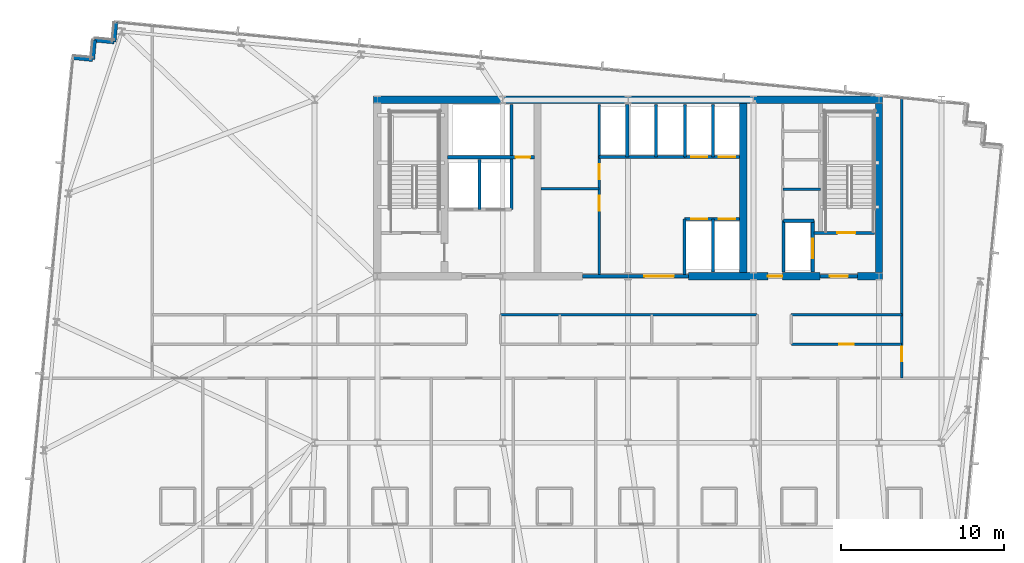
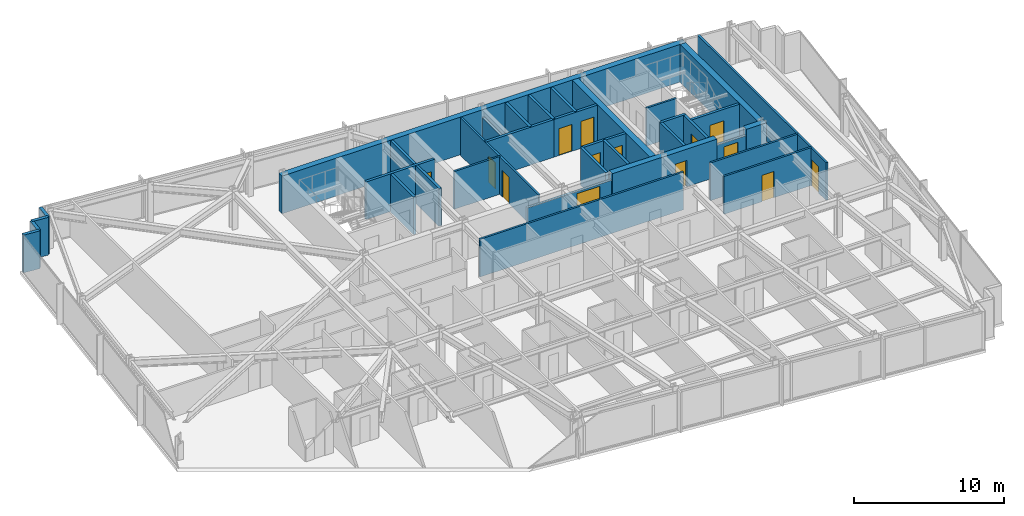
# One storey, part 31 of 37: 34 walls, 14 doors, 14 openings.
"""IFC4 building model written with IfcOpenShell, lengths in metres."""

from ifc_helpers import new_model, si_unit, direction, frame, frame_2d, origin, place, context, subcontext, project, spatial, rectangle, extrude, material, layer, layer_set, type_object, element, fill, save


model = new_model("IFC4")

# Units and contexts
model_context = context("Model", 3, precision=1e-05, world=origin(), true_north=direction((0.0, 1.0)))
body_context = subcontext(model_context, "Body", "Model", "MODEL_VIEW")
ifc_project = project(units=[si_unit("LENGTHUNIT", "METRE"), si_unit("AREAUNIT", "SQUARE_METRE"), si_unit("VOLUMEUNIT", "CUBIC_METRE"), si_unit("PLANEANGLEUNIT", "RADIAN"), si_unit("MASSUNIT", "GRAM", prefix="KILO")], contexts=[model_context])

# Site, building, storey
site_placement = place(None, origin())
site = spatial("IfcSite", under=ifc_project, at=site_placement, CompositionType="ELEMENT")
building_placement = place(site_placement, origin())
building = spatial("IfcBuilding", under=site, at=building_placement, Name="Yelkora Congress Tower", CompositionType="ELEMENT")
storey_placement = place(building_placement, frame((0.0, 0.0, 182.0)))
storey = spatial("IfcBuildingStorey", under=building, at=storey_placement, Name="L50", CompositionType="ELEMENT", Elevation=182.0)

# Wall
ifc_material_1 = material(Name="Concrete C60/75", Category="concrete")
ifc_layer_1 = layer(ifc_material_1, 0.449951171875)
ifc_layer_set_1 = layer_set([ifc_layer_1], Name="Concrete C60/75")
wall_type_1 = type_object("IfcWallType", Name="WALL-CORE-INT-450", PredefinedType="SHEAR", material=ifc_layer_set_1)
wall_1_placement = place(storey_placement, frame((22.81494140625, 46.199951171875, 0.0), z_axis=(0.0, 0.0, 1.0), x_axis=(1.0, 0.0, 0.0)))
element("IfcWall", 1, at=wall_1_placement, inside=storey, type_object=wall_type_1, Name="L50 Rear Core North Shear Wall", PredefinedType="SHEAR", context=body_context, shape_type="SweptSolid", body=[
    extrude(rectangle(XDim=31.170166015625, YDim=0.449951171875, at=frame_2d((15.5849609375, 0.0))), origin(), (0.0, 0.0, 1.0), 3.080078125),
])

# Wall, opening, door
wall_2_placement = place(storey_placement, frame((42.10009765625, 35.39990234375, 0.0), z_axis=(0.0, 0.0, 1.0), x_axis=(1.0, 0.0, 0.0)))
wall_2 = element("IfcWall", 2, at=wall_2_placement, inside=storey, type_object=wall_type_1, Name="L50 Rear Core South-East Shear Wall A", PredefinedType="SHEAR", context=body_context, shape_type="SweptSolid", body=[
    extrude(rectangle(XDim=8.0498046875, YDim=0.449951171875, at=frame_2d((4.02490234375, 0.0))), origin(), (0.0, 0.0, 1.0), 3.080078125),
])
opening_1_placement = place(wall_2_placement, frame((4.85009765625, 0.0, 0.0)))
opening_1 = element("IfcOpeningElement", 3, at=opening_1_placement, cuts=wall_2, Name="Opening DR-090F6", PredefinedType="OPENING", context=body_context, shape_type="SweptSolid", body=[
    extrude(rectangle(XDim=0.89990234375, YDim=2.14990234375, at=frame_2d((0.449951171875, 1.074951171875))), frame((0.0, 0.23486328125, 0.0), z_axis=(0.0, -1.0, 0.0), x_axis=(1.0, 0.0, 0.0)), (0.0, 0.0, 1.0), 0.469970703125),
])
ifc_material_2 = material(Name="Painted steel riser fire door leaf", Category="steel")
door_type_1 = type_object("IfcDoorType", Name="DOOR-FD60-900", OperationType="NOTDEFINED", PredefinedType="DOOR", material=ifc_material_2)
door_1_placement = place(opening_1_placement, origin())
door_1 = element("IfcDoor", 4, at=door_1_placement, inside=storey, type_object=door_type_1, Name="L50 Core Washroom Lobby Door", OperationType="SINGLE_SWING_RIGHT", OverallHeight=2.14990234375, OverallWidth=0.89990234375, PredefinedType="DOOR", context=body_context, shape_type="SweptSolid", body=[
    extrude(rectangle(XDim=0.89990234375, YDim=2.14990234375, at=frame_2d((0.449951171875, 1.074951171875))), frame((0.0, 0.02490234375, 0.0), z_axis=(0.0, -1.0, 0.0), x_axis=(1.0, 0.0, 0.0)), (0.0, 0.0, 1.0), 0.050048828125),
])
fill(opening_1, door_1)

# Walls
wall_3_placement = place(storey_placement, frame((52.449951171875, 35.39990234375, 0.0), z_axis=(0.0, 0.0, 1.0), x_axis=(1.0, 0.0, 0.0)))
element("IfcWall", 5, at=wall_3_placement, inside=storey, type_object=wall_type_1, Name="L50 Rear Core South-East Shear Wall B", PredefinedType="SHEAR", context=body_context, shape_type="SweptSolid", body=[
    extrude(rectangle(XDim=1.53515625, YDim=0.449951171875, at=frame_2d((0.767578125, 0.0))), origin(), (0.0, 0.0, 1.0), 3.080078125),
])
for number, where, z_axis, x_axis, name in (
    (6, (45.449951171875, 35.625, 0.0), (0.0, 0.0, 1.0), (0.0, 1.0, 0.0), "L50 Rear Core Cross Shear Wall C3"),
    (7, (53.760009765625, 35.625, 0.0), (0.0, 0.0, 1.0), (0.0, 1.0, 0.0), "L50 Rear Core Cross Shear Wall E"),
):
    element("IfcWall", number, at=place(storey_placement, frame(where, z_axis=z_axis, x_axis=x_axis)), inside=storey, type_object=wall_type_1, Name=name, PredefinedType="SHEAR", context=body_context, shape_type="SweptSolid", body=[
        extrude(rectangle(XDim=10.35009765625, YDim=0.449951171875, at=frame_2d((5.175048828125, 0.0))), origin(), (0.0, 0.0, 1.0), 3.080078125),
    ])
ifc_material_3 = material(Name="Concrete C40/50", Category="concrete")
ifc_layer_2 = layer(ifc_material_3, 0.239990234375)
ifc_layer_set_2 = layer_set([ifc_layer_2], Name="Concrete C40/50")
wall_type_2 = type_object("IfcWallType", Name="WALL-EXT-LIMESTONE-240", PredefinedType="SOLIDWALL", material=ifc_layer_set_2)
wall_4_placement = place(storey_placement, frame((4.41064453125, 48.778564453125, 0.0), z_axis=(0.0, 0.0, 1.0), x_axis=(0.995397091755, -0.095836473879, 0.0)))
element("IfcWall", 8, at=wall_4_placement, inside=storey, type_object=wall_type_2, Name="L50 Serrated Corner Limestone Pier 6", PredefinedType="SOLIDWALL", context=body_context, shape_type="SweptSolid", body=[
    extrude(rectangle(XDim=1.199951171875, YDim=0.239990234375, at=frame_2d((0.60009765625, 0.0))), origin(), (0.0, 0.0, 1.0), 3.080078125),
])
wall_5_placement = place(storey_placement, frame((5.60498046875, 48.66357421875, 0.0), z_axis=(0.0, 0.0, 1.0), x_axis=(0.096018626938, 0.995379537303, 0.0)))
element("IfcWall", 9, at=wall_5_placement, inside=storey, type_object=wall_type_2, Name="L50 Serrated Corner Limestone Pier 7", PredefinedType="SOLIDWALL", context=body_context, shape_type="SweptSolid", body=[
    extrude(rectangle(XDim=1.2001953125, YDim=0.239990234375, at=frame_2d((0.60009765625, 0.0))), origin(), (0.0, 0.0, 1.0), 3.080078125),
])
for number, where, z_axis, x_axis, name in (
    (10, (5.72021484375, 49.858154296875, 0.0), (0.0, 0.0, 1.0), (0.995397091755, -0.095836473879, 0.0), "L50 Serrated Corner Limestone Pier 8"),
    (11, (6.91455078125, 49.7431640625, 0.0), (0.0, 0.0, 1.0), (0.095836473879, 0.995397091755, 0.0), "L50 Serrated Corner Limestone Pier 9"),
):
    element("IfcWall", number, at=place(storey_placement, frame(where, z_axis=z_axis, x_axis=x_axis)), inside=storey, type_object=wall_type_2, Name=name, PredefinedType="SOLIDWALL", context=body_context, shape_type="SweptSolid", body=[
        extrude(rectangle(XDim=1.199951171875, YDim=0.239990234375, at=frame_2d((0.60009765625, 0.0))), origin(), (0.0, 0.0, 1.0), 3.080078125),
    ])
ifc_material_4 = material(Name="Acoustic metal-stud gypsum partition", Category="gypsum")
ifc_layer_3 = layer(ifc_material_4, 0.14990234375)
ifc_layer_set_3 = layer_set([ifc_layer_3], Name="Acoustic metal-stud gypsum partition")
wall_type_3 = type_object("IfcWallType", Name="WALL-INT-150-NR", PredefinedType="PARTITIONING", material=ifc_layer_set_3)
wall_6_placement = place(storey_placement, frame((47.8798828125, 40.719970703125, 0.0), z_axis=(0.0, 0.0, 1.0), x_axis=(1.0, 0.0, 0.0)))
element("IfcWall", 12, at=wall_6_placement, inside=storey, type_object=wall_type_3, Name="L50 Partition Wall 24", PredefinedType="PARTITIONING", context=body_context, shape_type="SweptSolid", body=[
    extrude(rectangle(XDim=2.300048828125, YDim=0.14990234375, at=frame_2d((1.14990234375, 0.0))), origin(), (0.0, 0.0, 1.0), 3.080078125),
])

# Wall, opening, door
wall_7_placement = place(storey_placement, frame((55.1650390625, 29.14990234375, 0.0), z_axis=(0.0, 0.0, 1.0), x_axis=(0.0, 1.0, 0.0)))
wall_7 = element("IfcWall", 13, at=wall_7_placement, inside=storey, type_object=wall_type_3, Name="L50 Partition Wall 79", PredefinedType="PARTITIONING", context=body_context, shape_type="SweptSolid", body=[
    extrude(rectangle(XDim=17.213134765625, YDim=0.14990234375, at=frame_2d((8.6064453125, 0.0))), origin(), (0.0, 0.0, 1.0), 3.080078125),
])
opening_2_placement = place(wall_7_placement, frame((1.030029296875, 0.0, 0.0)))
opening_2 = element("IfcOpeningElement", 14, at=opening_2_placement, cuts=wall_7, Name="Opening DR-090N", PredefinedType="OPENING", context=body_context, shape_type="SweptSolid", body=[
    extrude(rectangle(XDim=0.89990234375, YDim=2.14990234375, at=frame_2d((0.449951171875, 1.074951171875))), frame((0.0, 0.0849609375, 0.0), z_axis=(0.0, -1.0, 0.0), x_axis=(1.0, 0.0, 0.0)), (0.0, 0.0, 1.0), 0.169921875),
])
ifc_material_5 = material(Name="Moisture-resistant laminate door leaf", Category="wood")
door_type_2 = type_object("IfcDoorType", Name="DOOR-INT-900", OperationType="NOTDEFINED", PredefinedType="DOOR", material=ifc_material_5)
door_2_placement = place(opening_2_placement, origin())
door_2 = element("IfcDoor", 15, at=door_2_placement, inside=storey, type_object=door_type_2, Name="L50 E Wing Door", OperationType="SINGLE_SWING_LEFT", OverallHeight=2.14990234375, OverallWidth=0.89990234375, PredefinedType="DOOR", context=body_context, shape_type="SweptSolid", body=[
    extrude(rectangle(XDim=0.89990234375, YDim=2.14990234375, at=frame_2d((0.449951171875, 1.074951171875))), frame((0.0, 0.02490234375, 0.0), z_axis=(0.0, -1.0, 0.0), x_axis=(1.0, 0.0, 0.0)), (0.0, 0.0, 1.0), 0.050048828125),
])
fill(opening_2, door_2)

# Walls
wall_8_placement = place(storey_placement, frame((30.580078125, 33.050048828125, 0.0), z_axis=(0.0, 0.0, 1.0), x_axis=(1.0, 0.0, 0.0)))
element("IfcWall", 16, at=wall_8_placement, inside=storey, type_object=wall_type_3, Name="L50 Partition Wall 85", PredefinedType="PARTITIONING", context=body_context, shape_type="SweptSolid", body=[
    extrude(rectangle(XDim=15.719970703125, YDim=0.14990234375, at=frame_2d((7.85986328125, 0.0))), origin(), (0.0, 0.0, 1.0), 3.080078125),
])
wall_9_placement = place(storey_placement, frame((48.3798828125, 33.050048828125, 0.0), z_axis=(0.0, 0.0, 1.0), x_axis=(1.0, 0.0, 0.0)))
element("IfcWall", 17, at=wall_9_placement, inside=storey, type_object=wall_type_3, Name="L50 Partition Wall 86", PredefinedType="PARTITIONING", context=body_context, shape_type="SweptSolid", body=[
    extrude(rectangle(XDim=6.78515625, YDim=0.14990234375, at=frame_2d((3.392578125, 0.0))), origin(), (0.0, 0.0, 1.0), 3.080078125),
])

# Wall, opening, door
wall_10_placement = place(storey_placement, frame((48.389892578125, 31.22998046875, 0.0), z_axis=(0.0, 0.0, 1.0), x_axis=(1.0, 0.0, 0.0)))
wall_10 = element("IfcWall", 18, at=wall_10_placement, inside=storey, type_object=wall_type_3, Name="L50 Partition Wall 93", PredefinedType="PARTITIONING", context=body_context, shape_type="SweptSolid", body=[
    extrude(rectangle(XDim=6.755126953125, YDim=0.14990234375, at=frame_2d((3.37744140625, 0.0))), origin(), (0.0, 0.0, 1.0), 3.080078125),
])
opening_3_placement = place(wall_10_placement, frame((2.927490234375, 0.0, 0.0)))
opening_3 = element("IfcOpeningElement", 19, at=opening_3_placement, cuts=wall_10, Name="Opening DR-090N", PredefinedType="OPENING", context=body_context, shape_type="SweptSolid", body=[
    extrude(rectangle(XDim=0.89990234375, YDim=2.14990234375, at=frame_2d((0.449951171875, 1.074951171875))), frame((0.0, 0.0849609375, 0.0), z_axis=(0.0, -1.0, 0.0), x_axis=(1.0, 0.0, 0.0)), (0.0, 0.0, 1.0), 0.169921875),
])
door_3_placement = place(opening_3_placement, origin())
door_3 = element("IfcDoor", 20, at=door_3_placement, inside=storey, type_object=door_type_2, Name="L50 Staff Operations Room Door", OperationType="SINGLE_SWING_RIGHT", OverallHeight=2.14990234375, OverallWidth=0.89990234375, PredefinedType="DOOR", context=body_context, shape_type="SweptSolid", body=[
    extrude(rectangle(XDim=0.89990234375, YDim=2.14990234375, at=frame_2d((0.449951171875, 1.074951171875))), frame((0.0, 0.02490234375, 0.0), z_axis=(0.0, -1.0, 0.0), x_axis=(1.0, 0.0, 0.0)), (0.0, 0.0, 1.0), 0.050048828125),
])
fill(opening_3, door_3)

# Wall
ifc_material_6 = material(Name="Twin-stud fire-rated gypsum partition", Category="gypsum")
ifc_layer_4 = layer(ifc_material_6, 0.14990234375)
ifc_layer_set_4 = layer_set([ifc_layer_4], Name="Twin-stud fire-rated gypsum partition")
wall_type_4 = type_object("IfcWallType", Name="WALL-INT-150-R60", PredefinedType="PARTITIONING", material=ifc_layer_set_4)
wall_11_placement = place(storey_placement, frame((33.050048828125, 40.75, 0.0), z_axis=(0.0, 0.0, 1.0), x_axis=(1.0, 0.0, 0.0)))
element("IfcWall", 21, at=wall_11_placement, inside=storey, type_object=wall_type_4, Name="L50 Partition Wall 11", PredefinedType="PARTITIONING", context=body_context, shape_type="SweptSolid", body=[
    extrude(rectangle(XDim=3.570068359375, YDim=0.14990234375, at=frame_2d((1.78515625, 0.0))), origin(), (0.0, 0.0, 1.0), 3.080078125),
])

# Wall, openings, doors
wall_12_placement = place(storey_placement, frame((36.6201171875, 35.5, 0.0), z_axis=(0.0, 0.0, 1.0), x_axis=(0.0, 1.0, 0.0)))
wall_12 = element("IfcWall", 22, at=wall_12_placement, inside=storey, type_object=wall_type_4, Name="L50 Partition Wall 12", PredefinedType="PARTITIONING", context=body_context, shape_type="SweptSolid", body=[
    extrude(rectangle(XDim=10.419921875, YDim=0.14990234375, at=frame_2d((5.2099609375, 0.0))), origin(), (0.0, 0.0, 1.0), 3.080078125),
])
opening_4_placement = place(wall_12_placement, frame((3.919921875, 0.0, 0.0)))
opening_4 = element("IfcOpeningElement", 23, at=opening_4_placement, cuts=wall_12, Name="Opening DR-090F6", PredefinedType="OPENING", context=body_context, shape_type="SweptSolid", body=[
    extrude(rectangle(XDim=0.89990234375, YDim=2.14990234375, at=frame_2d((0.449951171875, 1.074951171875))), frame((0.0, 0.0849609375, 0.0), z_axis=(0.0, -1.0, 0.0), x_axis=(1.0, 0.0, 0.0)), (0.0, 0.0, 1.0), 0.169921875),
])
opening_5_placement = place(wall_12_placement, frame((5.85009765625, 0.0, 0.0)))
opening_5 = element("IfcOpeningElement", 24, at=opening_5_placement, cuts=wall_12, Name="Opening DR-090F6", PredefinedType="OPENING", context=body_context, shape_type="SweptSolid", body=[
    extrude(rectangle(XDim=0.89990234375, YDim=2.14990234375, at=frame_2d((0.449951171875, 1.074951171875))), frame((0.0, 0.0849609375, 0.0), z_axis=(0.0, -1.0, 0.0), x_axis=(1.0, 0.0, 0.0)), (0.0, 0.0, 1.0), 0.169921875),
])
door_4_placement = place(opening_4_placement, origin())
door_4 = element("IfcDoor", 25, at=door_4_placement, inside=storey, type_object=door_type_1, Name="L50 Telecom Store Door", OperationType="SINGLE_SWING_LEFT", OverallHeight=2.14990234375, OverallWidth=0.89990234375, PredefinedType="DOOR", context=body_context, shape_type="SweptSolid", body=[
    extrude(rectangle(XDim=0.89990234375, YDim=2.14990234375, at=frame_2d((0.449951171875, 1.074951171875))), frame((0.0, 0.02490234375, 0.0), z_axis=(0.0, -1.0, 0.0), x_axis=(1.0, 0.0, 0.0)), (0.0, 0.0, 1.0), 0.050048828125),
])
fill(opening_4, door_4)
door_5_placement = place(opening_5_placement, origin())
door_5 = element("IfcDoor", 26, at=door_5_placement, inside=storey, type_object=door_type_1, Name="L50 Archive Store Door", OperationType="SINGLE_SWING_RIGHT", OverallHeight=2.14990234375, OverallWidth=0.89990234375, PredefinedType="DOOR", context=body_context, shape_type="SweptSolid", body=[
    extrude(rectangle(XDim=0.89990234375, YDim=2.14990234375, at=frame_2d((0.449951171875, 1.074951171875))), frame((0.0, 0.02490234375, 0.0), z_axis=(0.0, -1.0, 0.0), x_axis=(1.0, 0.0, 0.0)), (0.0, 0.0, 1.0), 0.050048828125),
])
fill(opening_5, door_5)

# Walls
ifc_material_7 = material(Name="Autoclaved aerated concrete blockwork", Category="masonry")
ifc_layer_5 = layer(ifc_material_7, 0.199951171875)
ifc_layer_set_5 = layer_set([ifc_layer_5], Name="Autoclaved aerated concrete blockwork")
wall_type_5 = type_object("IfcWallType", Name="WALL-INT-200-R120", PredefinedType="PARTITIONING", material=ifc_layer_set_5)
wall_13_placement = place(storey_placement, frame((29.300048828125, 39.47998046875, 0.0), z_axis=(0.0, 0.0, 1.0), x_axis=(0.0, 1.0, 0.0)))
element("IfcWall", 27, at=wall_13_placement, inside=storey, type_object=wall_type_5, Name="L50 Partition Wall 4", PredefinedType="PARTITIONING", context=body_context, shape_type="SweptSolid", body=[
    extrude(rectangle(XDim=3.070068359375, YDim=0.199951171875, at=frame_2d((1.53515625, 0.0))), origin(), (0.0, 0.0, 1.0), 3.080078125),
])
wall_14_placement = place(storey_placement, frame((31.260009765625, 39.47998046875, 0.0), z_axis=(0.0, 0.0, 1.0), x_axis=(0.0, 1.0, 0.0)))
element("IfcWall", 28, at=wall_14_placement, inside=storey, type_object=wall_type_5, Name="L50 Partition Wall 5", PredefinedType="PARTITIONING", context=body_context, shape_type="SweptSolid", body=[
    extrude(rectangle(XDim=6.43994140625, YDim=0.199951171875, at=frame_2d((3.219970703125, 0.0))), origin(), (0.0, 0.0, 1.0), 3.080078125),
])

# Wall, opening, door
wall_15_placement = place(storey_placement, frame((27.320068359375, 42.679931640625, 0.0), z_axis=(0.0, 0.0, 1.0), x_axis=(1.0, 0.0, 0.0)))
wall_15 = element("IfcWall", 29, at=wall_15_placement, inside=storey, type_object=wall_type_5, Name="L50 Smoke Riser South Wall", PredefinedType="PARTITIONING", context=body_context, shape_type="SweptSolid", body=[
    extrude(rectangle(XDim=5.329833984375, YDim=0.199951171875, at=frame_2d((2.6650390625, 0.0))), origin(), (0.0, 0.0, 1.0), 3.080078125),
])
opening_6_placement = place(wall_15_placement, frame((4.179931640625, 0.0, 0.0)))
opening_6 = element("IfcOpeningElement", 30, at=opening_6_placement, cuts=wall_15, Name="Opening DR-090F6", PredefinedType="OPENING", context=body_context, shape_type="SweptSolid", body=[
    extrude(rectangle(XDim=0.89990234375, YDim=2.14990234375, at=frame_2d((0.449951171875, 1.074951171875))), frame((0.0, 0.10986328125, 0.0), z_axis=(0.0, -1.0, 0.0), x_axis=(1.0, 0.0, 0.0)), (0.0, 0.0, 1.0), 0.219970703125),
])
door_6_placement = place(opening_6_placement, origin())
door_6 = element("IfcDoor", 31, at=door_6_placement, inside=storey, type_object=door_type_1, Name="L50 Riser Access Door", OperationType="SINGLE_SWING_LEFT", OverallHeight=2.14990234375, OverallWidth=0.89990234375, PredefinedType="DOOR", context=body_context, shape_type="SweptSolid", body=[
    extrude(rectangle(XDim=0.89990234375, YDim=2.14990234375, at=frame_2d((0.449951171875, 1.074951171875))), frame((0.0, 0.02490234375, 0.0), z_axis=(0.0, -1.0, 0.0), x_axis=(1.0, 0.0, 0.0)), (0.0, 0.0, 1.0), 0.050048828125),
])
fill(opening_6, door_6)

wall_16_placement = place(storey_placement, frame((35.60009765625, 35.39990234375, 0.0), z_axis=(0.0, 0.0, 1.0), x_axis=(1.0, 0.0, 0.0)))
wall_16 = element("IfcWall", 32, at=wall_16_placement, inside=storey, type_object=wall_type_5, Name="L50 Main Lift Lobby South Portal Wall", PredefinedType="PARTITIONING", context=body_context, shape_type="SweptSolid", body=[
    extrude(rectangle(XDim=6.5, YDim=0.199951171875, at=frame_2d((3.25, 0.0))), origin(), (0.0, 0.0, 1.0), 2.47509765625),
])
opening_7_placement = place(wall_16_placement, frame((3.800048828125, 0.0, 0.0)))
opening_7 = element("IfcOpeningElement", 33, at=opening_7_placement, cuts=wall_16, Name="Opening DR-180D", PredefinedType="OPENING", context=body_context, shape_type="SweptSolid", body=[
    extrude(rectangle(XDim=1.800048828125, YDim=2.300048828125, at=frame_2d((0.89990234375, 1.14990234375))), frame((0.0, 0.10986328125, 0.0), z_axis=(0.0, -1.0, 0.0), x_axis=(1.0, 0.0, 0.0)), (0.0, 0.0, 1.0), 0.219970703125),
])
ifc_material_8 = material(Name="Acoustic double congress hall doors", Category="wood")
door_type_3 = type_object("IfcDoorType", Name="DOOR-DBL-1800", OperationType="DOUBLE_DOOR_SINGLE_SWING", PredefinedType="DOOR", material=ifc_material_8)
door_7_placement = place(opening_7_placement, origin())
door_7 = element("IfcDoor", 34, at=door_7_placement, inside=storey, type_object=door_type_3, Name="L50 Main Lift Lobby Portal Door", OperationType="DOUBLE_DOOR_SINGLE_SWING", OverallHeight=2.300048828125, OverallWidth=1.800048828125, PredefinedType="DOOR", context=body_context, shape_type="SweptSolid", body=[
    extrude(rectangle(XDim=1.800048828125, YDim=2.300048828125, at=frame_2d((0.89990234375, 1.14990234375))), frame((0.0, 0.02490234375, 0.0), z_axis=(0.0, -1.0, 0.0), x_axis=(1.0, 0.0, 0.0)), (0.0, 0.0, 1.0), 0.050048828125),
])
fill(opening_7, door_7)

# Walls
wall_17_placement = place(storey_placement, frame((36.60009765625, 42.699951171875, 0.0), z_axis=(0.0, 0.0, 1.0), x_axis=(1.0, 0.0, 0.0)))
element("IfcWall", 35, at=wall_17_placement, inside=storey, type_object=wall_type_5, Name="L50 Partition Wall 8", PredefinedType="PARTITIONING", context=body_context, shape_type="SweptSolid", body=[
    extrude(rectangle(XDim=5.25, YDim=0.199951171875, at=frame_2d((2.625, 0.0))), origin(), (0.0, 0.0, 1.0), 3.080078125),
])
wall_18_placement = place(storey_placement, frame((38.35009765625, 42.699951171875, 0.0), z_axis=(0.0, 0.0, 1.0), x_axis=(0.0, 1.0, 0.0)))
element("IfcWall", 36, at=wall_18_placement, inside=storey, type_object=wall_type_5, Name="L50 Partition Wall 9", PredefinedType="PARTITIONING", context=body_context, shape_type="SweptSolid", body=[
    extrude(rectangle(XDim=3.219970703125, YDim=0.199951171875, at=frame_2d((1.60986328125, 0.0))), origin(), (0.0, 0.0, 1.0), 2.47509765625),
])
wall_19_placement = place(storey_placement, frame((40.10009765625, 42.699951171875, 0.0), z_axis=(0.0, 0.0, 1.0), x_axis=(0.0, 1.0, 0.0)))
element("IfcWall", 37, at=wall_19_placement, inside=storey, type_object=wall_type_5, Name="L50 Partition Wall 10", PredefinedType="PARTITIONING", context=body_context, shape_type="SweptSolid", body=[
    extrude(rectangle(XDim=3.219970703125, YDim=0.199951171875, at=frame_2d((1.60986328125, 0.0))), origin(), (0.0, 0.0, 1.0), 3.080078125),
])

# Wall, openings, doors
wall_20_placement = place(storey_placement, frame((41.85009765625, 38.89990234375, 0.0), z_axis=(0.0, 0.0, 1.0), x_axis=(1.0, 0.0, 0.0)))
wall_20 = element("IfcWall", 38, at=wall_20_placement, inside=storey, type_object=wall_type_5, Name="L50 Partition Wall 13", PredefinedType="PARTITIONING", context=body_context, shape_type="SweptSolid", body=[
    extrude(rectangle(XDim=3.369873046875, YDim=0.199951171875, at=frame_2d((1.68505859375, 0.0))), origin(), (0.0, 0.0, 1.0), 3.080078125),
])
opening_8_placement = place(wall_20_placement, frame((0.39990234375, 0.0, 0.0)))
opening_8 = element("IfcOpeningElement", 39, at=opening_8_placement, cuts=wall_20, Name="Opening LD-PS10", PredefinedType="OPENING", context=body_context, shape_type="SweptSolid", body=[
    extrude(rectangle(XDim=1.0, YDim=2.199951171875, at=frame_2d((0.5, 1.10009765625))), frame((0.0, 0.10986328125, 0.0), z_axis=(0.0, -1.0, 0.0), x_axis=(1.0, 0.0, 0.0)), (0.0, 0.0, 1.0), 0.219970703125),
])
opening_9_placement = place(wall_20_placement, frame((2.10009765625, 0.0, 0.0)))
opening_9 = element("IfcOpeningElement", 40, at=opening_9_placement, cuts=wall_20, Name="Opening LD-PS10", PredefinedType="OPENING", context=body_context, shape_type="SweptSolid", body=[
    extrude(rectangle(XDim=1.0, YDim=2.199951171875, at=frame_2d((0.5, 1.10009765625))), frame((0.0, 0.10986328125, 0.0), z_axis=(0.0, -1.0, 0.0), x_axis=(1.0, 0.0, 0.0)), (0.0, 0.0, 1.0), 0.219970703125),
])
ifc_material_9 = material(Name="Champagne stainless steel landing door", Category="steel")
door_type_4 = type_object("IfcDoorType", Name="DOOR-LIFT-PAS-1000", OperationType="DOUBLE_DOOR_SLIDING", PredefinedType="DOOR", material=ifc_material_9)
door_8_placement = place(opening_8_placement, origin())
door_8 = element("IfcDoor", 41, at=door_8_placement, inside=storey, type_object=door_type_4, Name="Lift Landing Door LF-P5 L50", OperationType="DOUBLE_DOOR_SLIDING", OverallHeight=2.199951171875, OverallWidth=1.0, PredefinedType="DOOR", context=body_context, shape_type="SweptSolid", body=[
    extrude(rectangle(XDim=1.0, YDim=2.199951171875, at=frame_2d((0.5, 1.10009765625))), frame((0.0, 0.02490234375, 0.0), z_axis=(0.0, -1.0, 0.0), x_axis=(1.0, 0.0, 0.0)), (0.0, 0.0, 1.0), 0.050048828125),
])
fill(opening_8, door_8)
door_9_placement = place(opening_9_placement, origin())
door_9 = element("IfcDoor", 42, at=door_9_placement, inside=storey, type_object=door_type_4, Name="Lift Landing Door LF-P6 L50", OperationType="DOUBLE_DOOR_SLIDING", OverallHeight=2.199951171875, OverallWidth=1.0, PredefinedType="DOOR", context=body_context, shape_type="SweptSolid", body=[
    extrude(rectangle(XDim=1.0, YDim=2.199951171875, at=frame_2d((0.5, 1.10009765625))), frame((0.0, 0.02490234375, 0.0), z_axis=(0.0, -1.0, 0.0), x_axis=(1.0, 0.0, 0.0)), (0.0, 0.0, 1.0), 0.050048828125),
])
fill(opening_9, door_9)

wall_21_placement = place(storey_placement, frame((41.85009765625, 42.699951171875, 0.0), z_axis=(0.0, 0.0, 1.0), x_axis=(1.0, 0.0, 0.0)))
wall_21 = element("IfcWall", 43, at=wall_21_placement, inside=storey, type_object=wall_type_5, Name="L50 Partition Wall 14", PredefinedType="PARTITIONING", context=body_context, shape_type="SweptSolid", body=[
    extrude(rectangle(XDim=3.369873046875, YDim=0.199951171875, at=frame_2d((1.68505859375, 0.0))), origin(), (0.0, 0.0, 1.0), 3.080078125),
])
opening_10_placement = place(wall_21_placement, frame((0.39990234375, 0.0, 0.0)))
opening_10 = element("IfcOpeningElement", 44, at=opening_10_placement, cuts=wall_21, Name="Opening LD-PS10", PredefinedType="OPENING", context=body_context, shape_type="SweptSolid", body=[
    extrude(rectangle(XDim=1.0, YDim=2.199951171875, at=frame_2d((0.5, 1.10009765625))), frame((0.0, 0.10986328125, 0.0), z_axis=(0.0, -1.0, 0.0), x_axis=(1.0, 0.0, 0.0)), (0.0, 0.0, 1.0), 0.219970703125),
])
opening_11_placement = place(wall_21_placement, frame((2.10009765625, 0.0, 0.0)))
opening_11 = element("IfcOpeningElement", 45, at=opening_11_placement, cuts=wall_21, Name="Opening LD-PS10", PredefinedType="OPENING", context=body_context, shape_type="SweptSolid", body=[
    extrude(rectangle(XDim=1.0, YDim=2.199951171875, at=frame_2d((0.5, 1.10009765625))), frame((0.0, 0.10986328125, 0.0), z_axis=(0.0, -1.0, 0.0), x_axis=(1.0, 0.0, 0.0)), (0.0, 0.0, 1.0), 0.219970703125),
])
door_10_placement = place(opening_10_placement, origin())
door_10 = element("IfcDoor", 46, at=door_10_placement, inside=storey, type_object=door_type_4, Name="Lift Landing Door LF-P7 L50", OperationType="DOUBLE_DOOR_SLIDING", OverallHeight=2.199951171875, OverallWidth=1.0, PredefinedType="DOOR", context=body_context, shape_type="SweptSolid", body=[
    extrude(rectangle(XDim=1.0, YDim=2.199951171875, at=frame_2d((0.5, 1.10009765625))), frame((0.0, 0.02490234375, 0.0), z_axis=(0.0, -1.0, 0.0), x_axis=(1.0, 0.0, 0.0)), (0.0, 0.0, 1.0), 0.050048828125),
])
fill(opening_10, door_10)
door_11_placement = place(opening_11_placement, origin())
door_11 = element("IfcDoor", 47, at=door_11_placement, inside=storey, type_object=door_type_4, Name="Lift Landing Door LF-P8 L50", OperationType="DOUBLE_DOOR_SLIDING", OverallHeight=2.199951171875, OverallWidth=1.0, PredefinedType="DOOR", context=body_context, shape_type="SweptSolid", body=[
    extrude(rectangle(XDim=1.0, YDim=2.199951171875, at=frame_2d((0.5, 1.10009765625))), frame((0.0, 0.02490234375, 0.0), z_axis=(0.0, -1.0, 0.0), x_axis=(1.0, 0.0, 0.0)), (0.0, 0.0, 1.0), 0.050048828125),
])
fill(opening_11, door_11)

# Walls
wall_22_placement = place(storey_placement, frame((43.60009765625, 35.64990234375, 0.0), z_axis=(0.0, 0.0, 1.0), x_axis=(0.0, 1.0, 0.0)))
element("IfcWall", 48, at=wall_22_placement, inside=storey, type_object=wall_type_5, Name="L50 Partition Wall 15", PredefinedType="PARTITIONING", context=body_context, shape_type="SweptSolid", body=[
    extrude(rectangle(XDim=3.25, YDim=0.199951171875, at=frame_2d((1.625, 0.0))), origin(), (0.0, 0.0, 1.0), 3.080078125),
])
wall_23_placement = place(storey_placement, frame((43.60009765625, 42.699951171875, 0.0), z_axis=(0.0, 0.0, 1.0), x_axis=(0.0, 1.0, 0.0)))
element("IfcWall", 49, at=wall_23_placement, inside=storey, type_object=wall_type_5, Name="L50 Partition Wall 16", PredefinedType="PARTITIONING", context=body_context, shape_type="SweptSolid", body=[
    extrude(rectangle(XDim=3.219970703125, YDim=0.199951171875, at=frame_2d((1.60986328125, 0.0))), origin(), (0.0, 0.0, 1.0), 3.080078125),
])
wall_24_placement = place(storey_placement, frame((41.85009765625, 35.5, 0.0), z_axis=(0.0, 0.0, 1.0), x_axis=(0.0, 1.0, 0.0)))
element("IfcWall", 50, at=wall_24_placement, inside=storey, type_object=wall_type_5, Name="L50 Partition Wall 17", PredefinedType="PARTITIONING", context=body_context, shape_type="SweptSolid", body=[
    extrude(rectangle(XDim=3.39990234375, YDim=0.199951171875, at=frame_2d((1.699951171875, 0.0))), origin(), (0.0, 0.0, 1.0), 3.080078125),
])
wall_25_placement = place(storey_placement, frame((41.8798828125, 42.699951171875, 0.0), z_axis=(0.0, 0.0, 1.0), x_axis=(0.0, 1.0, 0.0)))
element("IfcWall", 51, at=wall_25_placement, inside=storey, type_object=wall_type_5, Name="L50 Partition Wall 18", PredefinedType="PARTITIONING", context=body_context, shape_type="SweptSolid", body=[
    extrude(rectangle(XDim=3.219970703125, YDim=0.199951171875, at=frame_2d((1.60986328125, 0.0))), origin(), (0.0, 0.0, 1.0), 3.080078125),
])

# Wall, opening, door
wall_26_placement = place(storey_placement, frame((49.780029296875, 38.050048828125, 0.0), z_axis=(0.0, 0.0, 1.0), x_axis=(1.0, 0.0, 0.0)))
wall_26 = element("IfcWall", 52, at=wall_26_placement, inside=storey, type_object=wall_type_5, Name="L50 Stair ST-02 Enclosure Wall", PredefinedType="PARTITIONING", context=body_context, shape_type="SweptSolid", body=[
    extrude(rectangle(XDim=3.719970703125, YDim=0.199951171875, at=frame_2d((1.85986328125, 0.0))), origin(), (0.0, 0.0, 1.0), 3.080078125),
])
opening_12_placement = place(wall_26_placement, frame((1.436279296875, 0.0, 0.0)))
opening_12 = element("IfcOpeningElement", 53, at=opening_12_placement, cuts=wall_26, Name="Opening DR-110F9", PredefinedType="OPENING", context=body_context, shape_type="SweptSolid", body=[
    extrude(rectangle(XDim=1.10009765625, YDim=2.14990234375, at=frame_2d((0.550048828125, 1.074951171875))), frame((0.0, 0.10986328125, 0.0), z_axis=(0.0, -1.0, 0.0), x_axis=(1.0, 0.0, 0.0)), (0.0, 0.0, 1.0), 0.219970703125),
])
ifc_material_10 = material(Name="Galvanised steel fire door leaf", Category="steel")
door_type_5 = type_object("IfcDoorType", Name="DOOR-FD90-1100", OperationType="NOTDEFINED", PredefinedType="DOOR", material=ifc_material_10)
door_12_placement = place(opening_12_placement, origin())
door_12 = element("IfcDoor", 54, at=door_12_placement, inside=storey, type_object=door_type_5, Name="L50 Stair ST-02 Entry Door", OperationType="SINGLE_SWING_LEFT", OverallHeight=2.14990234375, OverallWidth=1.10009765625, PredefinedType="DOOR", context=body_context, shape_type="SweptSolid", body=[
    extrude(rectangle(XDim=1.10009765625, YDim=2.14990234375, at=frame_2d((0.550048828125, 1.074951171875))), frame((0.0, 0.02490234375, 0.0), z_axis=(0.0, -1.0, 0.0), x_axis=(1.0, 0.0, 0.0)), (0.0, 0.0, 1.0), 0.050048828125),
])
fill(opening_12, door_12)

wall_27_placement = place(storey_placement, frame((50.14990234375, 35.39990234375, 0.0), z_axis=(0.0, 0.0, 1.0), x_axis=(1.0, 0.0, 0.0)))
wall_27 = element("IfcWall", 55, at=wall_27_placement, inside=storey, type_object=wall_type_5, Name="L50 Partition Wall 20", PredefinedType="PARTITIONING", context=body_context, shape_type="SweptSolid", body=[
    extrude(rectangle(XDim=2.300048828125, YDim=0.199951171875, at=frame_2d((1.14990234375, 0.0))), origin(), (0.0, 0.0, 1.0), 2.47509765625),
])
opening_13_placement = place(wall_27_placement, frame((0.60009765625, 0.0, 0.0)))
opening_13 = element("IfcOpeningElement", 56, at=opening_13_placement, cuts=wall_27, Name="Opening DR-110F9", PredefinedType="OPENING", context=body_context, shape_type="SweptSolid", body=[
    extrude(rectangle(XDim=1.10009765625, YDim=2.14990234375, at=frame_2d((0.550048828125, 1.074951171875))), frame((0.0, 0.10986328125, 0.0), z_axis=(0.0, -1.0, 0.0), x_axis=(1.0, 0.0, 0.0)), (0.0, 0.0, 1.0), 0.219970703125),
])
door_13_placement = place(opening_13_placement, origin())
door_13 = element("IfcDoor", 57, at=door_13_placement, inside=storey, type_object=door_type_5, Name="L50 East Stair Lobby Door", OperationType="SINGLE_SWING_RIGHT", OverallHeight=2.14990234375, OverallWidth=1.10009765625, PredefinedType="DOOR", context=body_context, shape_type="SweptSolid", body=[
    extrude(rectangle(XDim=1.10009765625, YDim=2.14990234375, at=frame_2d((0.550048828125, 1.074951171875))), frame((0.0, 0.02490234375, 0.0), z_axis=(0.0, -1.0, 0.0), x_axis=(1.0, 0.0, 0.0)), (0.0, 0.0, 1.0), 0.050048828125),
])
fill(opening_13, door_13)

wall_28_placement = place(storey_placement, frame((49.699951171875, 35.64990234375, 0.0), z_axis=(0.0, 0.0, 1.0), x_axis=(0.0, 1.0, 0.0)))
wall_28 = element("IfcWall", 58, at=wall_28_placement, inside=storey, type_object=wall_type_5, Name="L50 Partition Wall 21", PredefinedType="PARTITIONING", context=body_context, shape_type="SweptSolid", body=[
    extrude(rectangle(XDim=3.150146484375, YDim=0.199951171875, at=frame_2d((1.5751953125, 0.0))), origin(), (0.0, 0.0, 1.0), 3.080078125),
])
opening_14_placement = place(wall_28_placement, frame((0.85009765625, 0.0, 0.0)))
opening_14 = element("IfcOpeningElement", 59, at=opening_14_placement, cuts=wall_28, Name="Opening LD-SV12", PredefinedType="OPENING", context=body_context, shape_type="SweptSolid", body=[
    extrude(rectangle(XDim=1.199951171875, YDim=2.199951171875, at=frame_2d((0.60009765625, 1.10009765625))), frame((0.0, 0.10986328125, 0.0), z_axis=(0.0, -1.0, 0.0), x_axis=(1.0, 0.0, 0.0)), (0.0, 0.0, 1.0), 0.219970703125),
])
ifc_material_11 = material(Name="Heavy-duty stainless steel landing door", Category="steel")
door_type_6 = type_object("IfcDoorType", Name="DOOR-LIFT-SRV-1200", OperationType="DOUBLE_DOOR_SLIDING", PredefinedType="DOOR", material=ifc_material_11)
door_14_placement = place(opening_14_placement, origin())
door_14 = element("IfcDoor", 60, at=door_14_placement, inside=storey, type_object=door_type_6, Name="Service Lift Landing Door LF-SV1 L50", OperationType="DOUBLE_DOOR_SLIDING", OverallHeight=2.199951171875, OverallWidth=1.199951171875, PredefinedType="DOOR", context=body_context, shape_type="SweptSolid", body=[
    extrude(rectangle(XDim=1.199951171875, YDim=2.199951171875, at=frame_2d((0.60009765625, 1.10009765625))), frame((0.0, 0.02490234375, 0.0), z_axis=(0.0, -1.0, 0.0), x_axis=(1.0, 0.0, 0.0)), (0.0, 0.0, 1.0), 0.050048828125),
])
fill(opening_14, door_14)

# Walls
wall_29_placement = place(storey_placement, frame((47.919921875, 35.64990234375, 0.0), z_axis=(0.0, 0.0, 1.0), x_axis=(0.0, 1.0, 0.0)))
element("IfcWall", 61, at=wall_29_placement, inside=storey, type_object=wall_type_5, Name="L50 Partition Wall 22", PredefinedType="PARTITIONING", context=body_context, shape_type="SweptSolid", body=[
    extrude(rectangle(XDim=3.150146484375, YDim=0.199951171875, at=frame_2d((1.5751953125, 0.0))), origin(), (0.0, 0.0, 1.0), 3.080078125),
])
wall_30_placement = place(storey_placement, frame((47.919921875, 38.800048828125, 0.0), z_axis=(0.0, 0.0, 1.0), x_axis=(1.0, 0.0, 0.0)))
element("IfcWall", 62, at=wall_30_placement, inside=storey, type_object=wall_type_5, Name="L50 Partition Wall 23", PredefinedType="PARTITIONING", context=body_context, shape_type="SweptSolid", body=[
    extrude(rectangle(XDim=1.860107421875, YDim=0.199951171875, at=frame_2d((0.93017578125, 0.0))), origin(), (0.0, 0.0, 1.0), 3.080078125),
])

save(model, "model.ifc")
